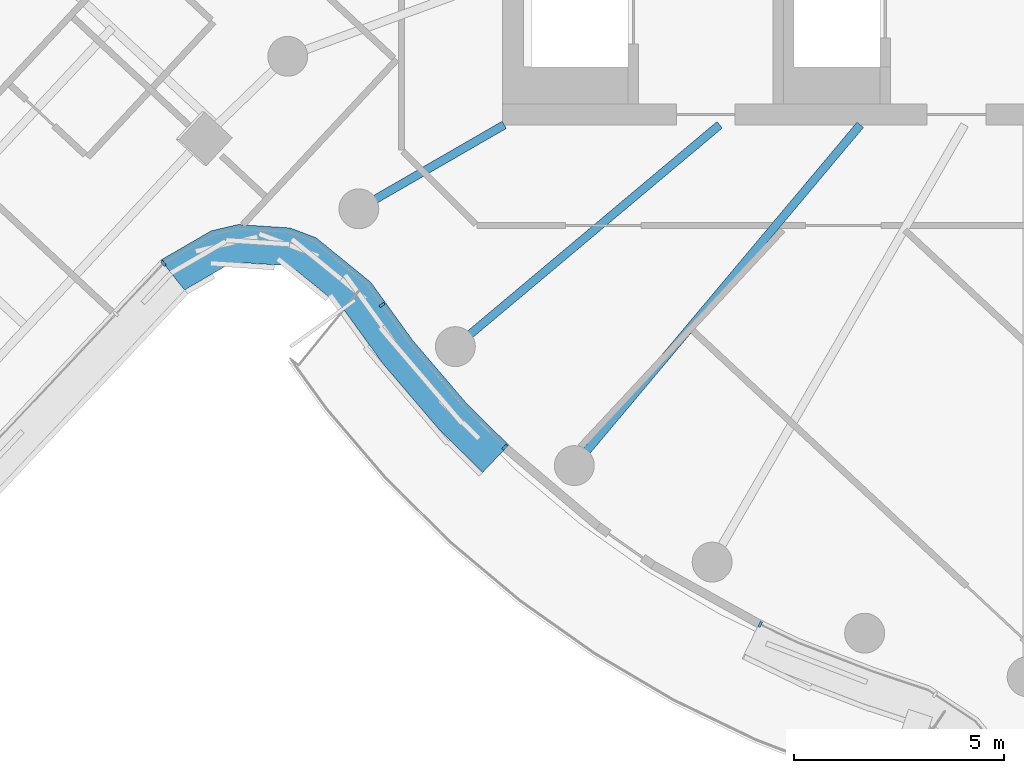
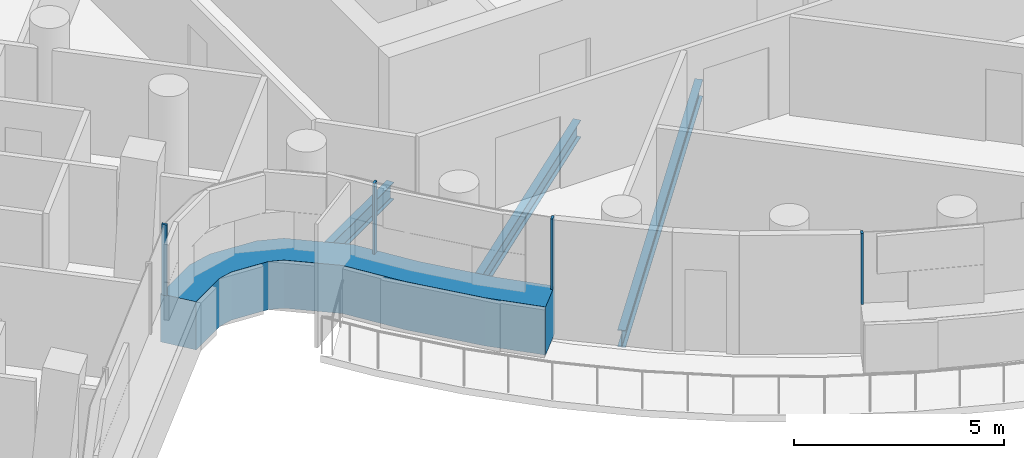
# One storey, part 3 of 30: 5 members, 3 beams, 1 element without a shape of its own.
"""IFC4 building model written with IfcOpenShell, lengths in metres."""

from ifc_helpers import new_model, si_unit, direction, frame, origin, origin_2d, place, context, subcontext, project, spatial, polyline, rectangle, i_section, outline, extrude, material, layer, layer_set, material_profile, profile_set, type_object, element, aggregate, save


model = new_model("IFC4")

# Units and contexts
model_context = context("Model", 3, precision=1e-05, world=origin(), true_north=direction((0.0, 1.0)))
body_context = subcontext(model_context, "Body", "Model", "MODEL_VIEW")
ifc_project = project(units=[si_unit("LENGTHUNIT", "METRE"), si_unit("AREAUNIT", "SQUARE_METRE"), si_unit("VOLUMEUNIT", "CUBIC_METRE"), si_unit("PLANEANGLEUNIT", "RADIAN"), si_unit("MASSUNIT", "GRAM", prefix="KILO")], contexts=[model_context])

# Site, building, storey
site_placement = place(None, origin())
site = spatial("IfcSite", under=ifc_project, at=site_placement, CompositionType="ELEMENT")
building_placement = place(site_placement, origin())
building = spatial("IfcBuilding", under=site, at=building_placement, Name="Tamarind Cross Interchange Tower", CompositionType="ELEMENT")
storey_placement = place(building_placement, frame((0.0, 0.0, 204.10009765625)))
storey = spatial("IfcBuildingStorey", under=building, at=storey_placement, Name="L51", CompositionType="ELEMENT", Elevation=204.10009765625)

# Beams
ifc_material_1 = material(Name="Steel Q355B", Category="steel")
ifc_material_profile_1 = material_profile(ifc_material_1, i_section(OverallWidth=0.198974609375, OverallDepth=0.49609375, WebThickness=0.009033203125, FlangeThickness=0.013916015625, FilletRadius=0.012939453125, at=origin_2d()), Name="HN 496x199x9x14")
ifc_profile_set_1 = profile_set([ifc_material_profile_1], Name="Steel Q355B")
beam_type = type_object("IfcBeamType", Name="Composite beam HN 496x199x9x14 Q355B", PredefinedType="BEAM", material=ifc_profile_set_1)
beam_1_placement = place(storey_placement, frame((-19.918701171875, -11.5, -0.38818359375), z_axis=(0.866026010844, 0.49999894854, 0.0), x_axis=(-0.49999894854, 0.866026010844, 0.0)))
element("IfcBeam", 1, at=beam_1_placement, inside=storey, type_object=beam_type, Name="Beam HH21", PredefinedType="BEAM", context=body_context, shape_type="SweptSolid", body=[
    extrude(i_section(OverallWidth=0.198974609375, OverallDepth=0.49609375, WebThickness=0.009033203125, FlangeThickness=0.013916015625, FilletRadius=0.012939453125, at=origin_2d()), origin(), (0.0, 0.0, 1.0), 4.0),
])
beam_2_placement = place(storey_placement, frame((-17.619140625, -14.7841796875, -0.38818359375), z_axis=(0.766040580814, 0.642792212574, 0.0), x_axis=(-0.642792212574, 0.766040580814, 0.0)))
element("IfcBeam", 2, at=beam_2_placement, inside=storey, type_object=beam_type, Name="Beam HH22", PredefinedType="BEAM", context=body_context, shape_type="SweptSolid", body=[
    extrude(i_section(OverallWidth=0.198974609375, OverallDepth=0.49609375, WebThickness=0.009033203125, FlangeThickness=0.013916015625, FilletRadius=0.012939453125, at=origin_2d()), origin(), (0.0, 0.0, 1.0), 8.220703125),
])
beam_3_placement = place(storey_placement, frame((-14.7841796875, -17.619140625, -0.38818359375), z_axis=(0.642786293979, 0.766045547127, 0.0), x_axis=(-0.766045547127, 0.642786293979, 0.0)))
element("IfcBeam", 3, at=beam_3_placement, inside=storey, type_object=beam_type, Name="Beam HH23", PredefinedType="BEAM", context=body_context, shape_type="SweptSolid", body=[
    extrude(i_section(OverallWidth=0.198974609375, OverallDepth=0.49609375, WebThickness=0.009033203125, FlangeThickness=0.013916015625, FilletRadius=0.012939453125, at=origin_2d()), origin(), (0.0, 0.0, 1.0), 10.598876953125),
])

# Curtain wall, members
ifc_material_2 = material(Name="Aluminium 6063-T6", Category="aluminium")
ifc_layer = layer(ifc_material_2, 0.139892578125)
ifc_layer_set = layer_set([ifc_layer], Name="Aluminium 6063-T6")
curtain_wall_type = type_object("IfcCurtainWallType", Name="Hotel curtain wall, 4.5 m bays", PredefinedType="NOTDEFINED", material=ifc_layer_set)
curtain_wall_placement = place(storey_placement, origin())
curtain_wall = element("IfcCurtainWall", 4, at=curtain_wall_placement, inside=storey, type_object=curtain_wall_type, Name="CWS-L51-02", PredefinedType="NOTDEFINED")
ifc_material_3 = material(Name="Aluminium and insulated spandrel panel", Category="aluminium")
member_type_1 = type_object("IfcMemberType", Name="Floor-edge blade transom", PredefinedType="USERDEFINED", material=ifc_material_3)
member_1_placement = place(storey_placement, origin())
member_1 = element("IfcMember", 5, at=member_1_placement, type_object=member_type_1, Name="CWT-L51-02-0", ObjectType="TRANSOM", PredefinedType="USERDEFINED", context=body_context, shape_type="SweptSolid", body=[
    extrude(outline(polyline([(-24.63916015625, -12.72216796875), (-23.4375, -12.025634765625), (-22.796630859375, -11.87548828125), (-21.55908203125, -11.9560546875), (-20.939208984375, -12.189697265625), (-19.636474609375, -13.248779296875), (-18.636474609375, -14.634521484375), (-17.3642578125, -16.12353515625), (-16.34814453125, -17.130859375), (-16.969482421875, -17.7822265625), (-18.0244140625, -16.736572265625), (-19.3447265625, -15.19091796875), (-20.296630859375, -13.871826171875), (-21.3935546875, -12.980224609375), (-21.751220703125, -12.845458984375), (-22.7216796875, -12.7822265625), (-23.10205078125, -12.871337890625), (-24.07373046875, -13.434814453125), (-24.63916015625, -12.72216796875)])), origin(), (0.0, 0.0, 1.0), 1.39990234375),
])
ifc_material_profile_2 = material_profile(ifc_material_2, rectangle(XDim=0.06005859375, YDim=0.139892578125, at=origin_2d()), Name="Mullion CW2")
ifc_profile_set_2 = profile_set([ifc_material_profile_2], Name="Aluminium 6063-T6")
member_type_2 = type_object("IfcMemberType", Name="Mullion CW2", PredefinedType="MULLION", material=ifc_profile_set_2)
member_2_placement = place(storey_placement, frame((-24.576416015625, -12.801513671875, 1.39990234375), z_axis=(0.0, 0.0, 1.0), x_axis=(0.783308823466, 0.621632759014, 0.0)))
member_2 = element("IfcMember", 6, at=member_2_placement, type_object=member_type_2, Name="CWM-L51-02-00", PredefinedType="MULLION", context=body_context, shape_type="SweptSolid", body=[
    extrude(rectangle(XDim=0.06005859375, YDim=0.139892578125, at=origin_2d()), origin(), (0.0, 0.0, 1.0), 2.06005859375),
])
member_3_placement = place(storey_placement, frame((-19.367431640625, -13.79248046875, 1.39990234375), z_axis=(0.0, 0.0, 1.0), x_axis=(0.585200218014, -0.8108888363, 0.0)))
member_3 = element("IfcMember", 7, at=member_3_placement, type_object=member_type_2, Name="CWM-L51-02-01", PredefinedType="MULLION", context=body_context, shape_type="SweptSolid", body=[
    extrude(rectangle(XDim=0.06005859375, YDim=0.139892578125, at=origin_2d()), origin(), (0.0, 0.0, 1.0), 2.06005859375),
])
member_4_placement = place(storey_placement, frame((-16.438232421875, -17.182373046875, 1.39990234375), z_axis=(0.0, 0.0, 1.0), x_axis=(0.710143317658, -0.704057148523, 0.0)))
member_4 = element("IfcMember", 8, at=member_4_placement, type_object=member_type_2, Name="CWM-L51-02-02", PredefinedType="MULLION", context=body_context, shape_type="SweptSolid", body=[
    extrude(rectangle(XDim=0.06005859375, YDim=0.139892578125, at=origin_2d()), origin(), (0.0, 0.0, 1.0), 2.06005859375),
])
member_5_placement = place(storey_placement, frame((-10.355712890625, -21.401611328125, 1.39990234375), z_axis=(0.0, 0.0, 1.0), x_axis=(0.900272776334, -0.435326231914, 0.0)))
member_5 = element("IfcMember", 9, at=member_5_placement, type_object=member_type_2, Name="CWM-L51-02-03", PredefinedType="MULLION", context=body_context, shape_type="SweptSolid", body=[
    extrude(rectangle(XDim=0.06005859375, YDim=0.139892578125, at=origin_2d()), origin(), (0.0, 0.0, 1.0), 2.06005859375),
])
aggregate(curtain_wall, [member_2, member_3, member_4, member_5, member_1])

save(model, "model.ifc")
